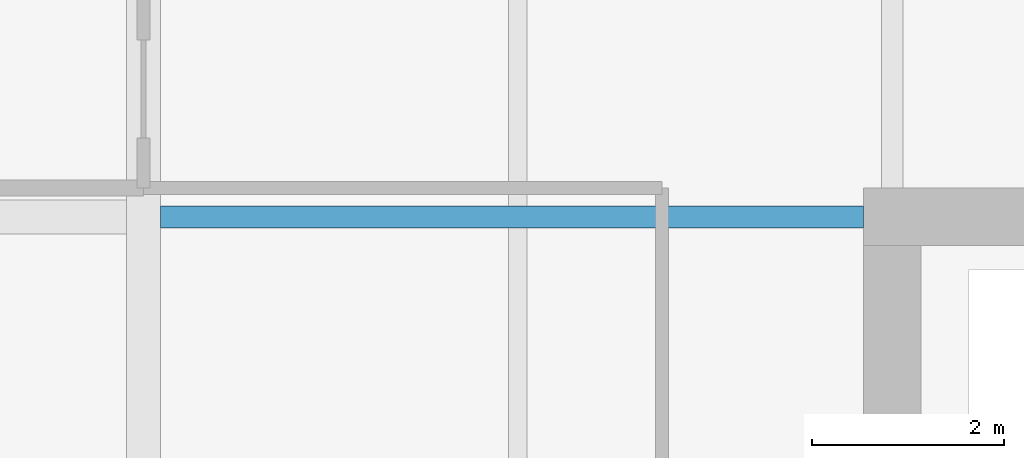
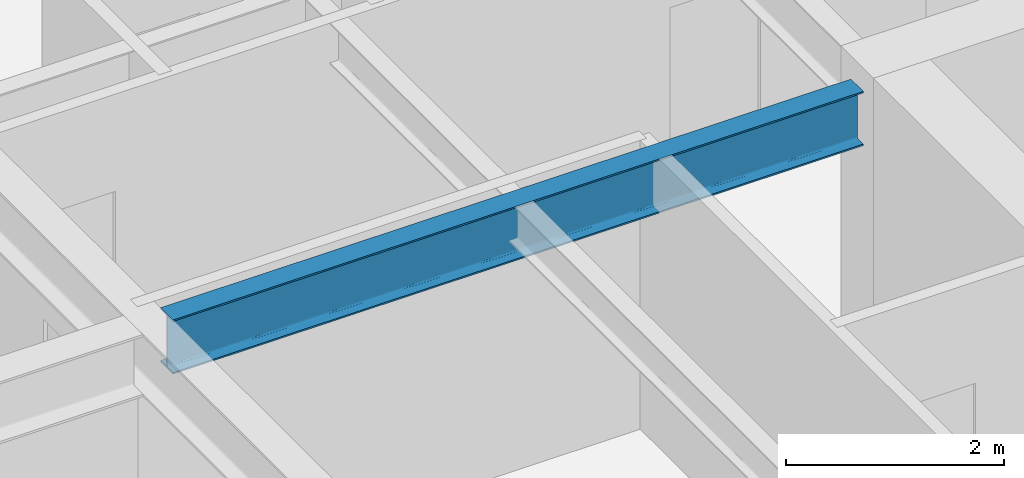
# One storey, part 17 of 34: 1 beam.
"""IFC4 building model written with IfcOpenShell, lengths in metres."""

from ifc_helpers import new_model, si_unit, direction, frame, origin, origin_2d, place, context, subcontext, project, spatial, i_section, extrude, material, material_profile, profile_set, type_object, element, save


model = new_model("IFC4")

# Units and contexts
model_context = context("Model", 3, precision=1e-05, world=origin(), true_north=direction((0.0, 1.0)))
body_context = subcontext(model_context, "Body", "Model", "MODEL_VIEW")
ifc_project = project(units=[si_unit("LENGTHUNIT", "METRE"), si_unit("AREAUNIT", "SQUARE_METRE"), si_unit("VOLUMEUNIT", "CUBIC_METRE"), si_unit("PLANEANGLEUNIT", "RADIAN"), si_unit("MASSUNIT", "GRAM", prefix="KILO")], contexts=[model_context])

# Site, building, storey
site_placement = place(None, origin())
site = spatial("IfcSite", under=ifc_project, at=site_placement, CompositionType="ELEMENT")
building_placement = place(site_placement, origin())
building = spatial("IfcBuilding", under=site, at=building_placement, Name="Drelvath Grand Hotel", CompositionType="ELEMENT")
storey_placement = place(building_placement, frame((0.0, 0.0, 133.800048828125)))
storey = spatial("IfcBuildingStorey", under=building, at=storey_placement, Name="L34", CompositionType="ELEMENT", Elevation=133.800048828125)

# Beam
ifc_material = material(Name="Steel ASTM A992 Gr 50", Category="steel")
ifc_material_profile = material_profile(ifc_material, i_section(OverallWidth=0.228271484375, OverallDepth=0.607666015625, WebThickness=0.01123046875, FlangeThickness=0.017333984375, FilletRadius=0.02001953125, at=origin_2d()), Name="W24X76")
ifc_profile_set = profile_set([ifc_material_profile], Name="Steel ASTM A992 Gr 50")
beam_type = type_object("IfcBeamType", Name="Primary Floor Girder W24X76", PredefinedType="BEAM", material=ifc_profile_set)
beam_placement = place(storey_placement, frame((-16.022705078125, 35.39990234375, 2.93603515625), z_axis=(1.0, 0.0, 0.0), x_axis=(0.0, 1.0, 0.0)))
element("IfcBeam", 1, at=beam_placement, inside=storey, type_object=beam_type, Name="L34 West Core Tie F", PredefinedType="BEAM", context=body_context, shape_type="SweptSolid", body=[
    extrude(i_section(OverallWidth=0.228271484375, OverallDepth=0.607666015625, WebThickness=0.01123046875, FlangeThickness=0.017333984375, FilletRadius=0.02001953125, at=origin_2d()), origin(), (0.0, 0.0, 1.0), 7.32275390625),
])

save(model, "model.ifc")
